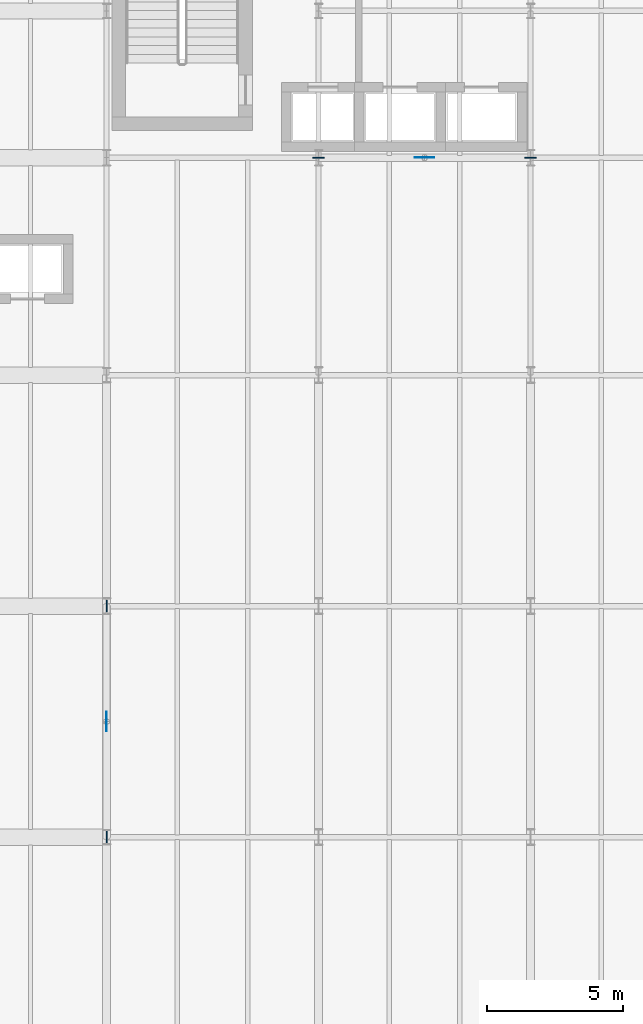
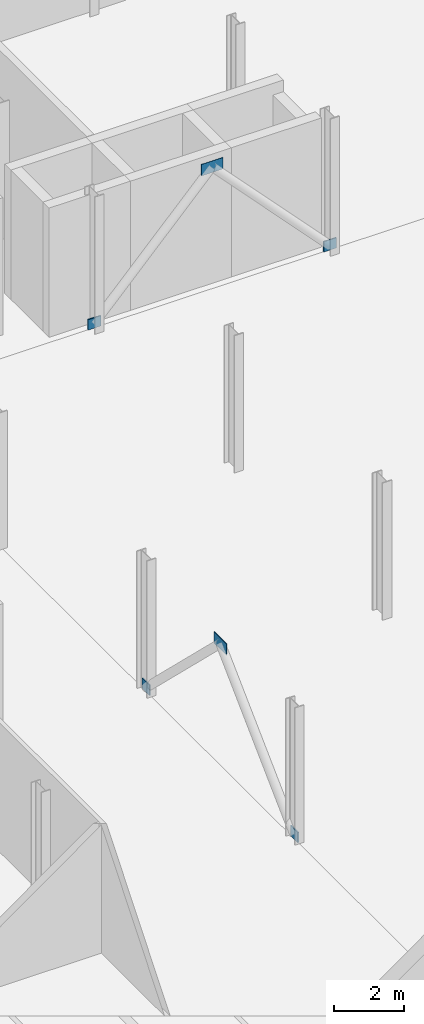
# One storey, part 43 of 63: 6 plates.
"""IFC4 building model written with IfcOpenShell, lengths in metres."""

import ifcopenshell
import ifcopenshell.guid

model = None  # the IFC model being written
_history = None  # IfcOwnerHistory: only IFC2X3 demands one
_inside = {}  # id of a spatial element -> (the spatial element, [elements in it])
_under = {}  # id of a project, library or spatial element -> (it, [spatial elements below it])
_declared = {}  # id of a project -> (the project, [libraries it declares])
_typed = {}  # id of a type object -> (the type object, [elements of that type])
_made_of = {}  # id of a material, layer set ... -> (it, [elements and type objects made of it])


def new_model(schema):
    """Start an empty IFC model of exactly this schema.

    Asked for "IFC4X3", IfcOpenShell would pick the latest addendum, in which some entities
    have other attributes; the version numbers below select the first issue.
    IFC2X3 requires an IfcOwnerHistory on every rooted entity: one is made here for all.
    """
    global model, _history
    if schema == "IFC4X3":
        model = ifcopenshell.file(schema_version=(4, 3, 0, 0))
    else:
        model = ifcopenshell.file(schema=schema)
    _inside.clear()
    _under.clear()
    _declared.clear()
    _typed.clear()
    _made_of.clear()
    _history = None
    if model.schema == "IFC2X3":
        org = make("IfcOrganization", Name="unknown")
        user = make(
            "IfcPersonAndOrganization",
            ThePerson=make("IfcPerson", FamilyName="unknown"),
            TheOrganization=org,
        )
        app = make(
            "IfcApplication",
            ApplicationDeveloper=org,
            Version="unknown",
            ApplicationFullName="unknown",
            ApplicationIdentifier="unknown",
        )
        _history = make(
            "IfcOwnerHistory",
            OwningUser=user,
            OwningApplication=app,
            ChangeAction="ADDED",
            CreationDate=0,
        )
    return model


def make(cls, **values):
    """One entity of the class cls with the attributes given. An attribute that is None is left unset."""
    return model.create_entity(
        cls, **{name: value for name, value in values.items() if value is not None}
    )


def rooted(cls, **values):
    """An entity with a GlobalId (a new one), such as an element, a storey or a relation."""
    return make(cls, GlobalId=ifcopenshell.guid.new(), OwnerHistory=_history, **values)


def si_unit(unit_type, name, prefix=None):
    """IfcSIUnit, for example si_unit("LENGTHUNIT", "METRE", prefix="MILLI")."""
    return make("IfcSIUnit", UnitType=unit_type, Prefix=prefix, Name=name)


def assignment(units):
    """IfcUnitAssignment: the units of a project."""
    return None if units is None else make("IfcUnitAssignment", Units=units)


def point(xyz):
    """IfcCartesianPoint."""
    return None if xyz is None else make("IfcCartesianPoint", Coordinates=xyz)


def direction(xyz):
    """IfcDirection."""
    return None if xyz is None else make("IfcDirection", DirectionRatios=xyz)


def frame(location, z_axis=None, x_axis=None):
    """IfcAxis2Placement3D, a coordinate frame: its origin and axes. An axis left out is left unset."""
    return make(
        "IfcAxis2Placement3D",
        Location=point(location),
        Axis=direction(z_axis),
        RefDirection=direction(x_axis),
    )


def frame_2d(location, x_axis=None):
    """IfcAxis2Placement2D, a coordinate frame in the plane: its origin and x axis."""
    return make(
        "IfcAxis2Placement2D", Location=point(location), RefDirection=direction(x_axis)
    )


def origin():
    """The frame at (0, 0, 0) with its axes left unset."""
    return frame((0.0, 0.0, 0.0))


def origin_2d():
    """The frame at (0, 0) in the plane with its x axis left unset."""
    return frame_2d((0.0, 0.0))


def place(relative_to, where):
    """IfcLocalPlacement: puts the frame where relative to a parent placement (None: the world)."""
    return make(
        "IfcLocalPlacement", PlacementRelTo=relative_to, RelativePlacement=where
    )


def context(
    kind, dimensions, precision=None, world=None, true_north=None, identifier=None
):
    """IfcGeometricRepresentationContext, for example the 3D "Model" context."""
    return make(
        "IfcGeometricRepresentationContext",
        ContextIdentifier=identifier,
        ContextType=kind,
        CoordinateSpaceDimension=dimensions,
        Precision=precision,
        WorldCoordinateSystem=world,
        TrueNorth=true_north,
    )


def subcontext(parent, identifier, kind, view, scale=None):
    """IfcGeometricRepresentationSubContext, for example "Body" below "Model"."""
    return make(
        "IfcGeometricRepresentationSubContext",
        ContextIdentifier=identifier,
        ContextType=kind,
        ParentContext=parent,
        TargetScale=scale,
        TargetView=view,
    )


def project(units=None, contexts=None):
    """IfcProject with its units and contexts."""
    return rooted(
        "IfcProject",
        Name="project",
        RepresentationContexts=contexts,
        UnitsInContext=assignment(units),
    )


def spatial(cls, under=None, at=None, **own):
    """A site, building, storey or space (cls), placed at a placement, below another one or the project."""
    s = rooted(cls, ObjectPlacement=at, **own)
    if under is not None:
        _under.setdefault(under.id(), (under, []))[1].append(s)
    return s


def profile(cls, at=None, kind="AREA", **sizes):
    """A parametric profile (cls). Its sizes go by their IFC names, for example OverallWidth=200.0."""
    return make(cls, ProfileType=kind, Position=at, **sizes)


def rectangle(**sizes):
    """IfcRectangleProfileDef."""
    return profile("IfcRectangleProfileDef", **sizes)


def extrude(swept, where, along, depth):
    """IfcExtrudedAreaSolid: the profile swept, set in the frame where, extruded along a direction by depth."""
    return make(
        "IfcExtrudedAreaSolid",
        SweptArea=swept,
        Position=where,
        ExtrudedDirection=direction(along),
        Depth=depth,
    )


def shape(context_of_items, identifier, shape_type, items):
    """IfcShapeRepresentation: the items that make up one representation, for example the "Body"."""
    return make(
        "IfcShapeRepresentation",
        ContextOfItems=context_of_items,
        RepresentationIdentifier=identifier,
        RepresentationType=shape_type,
        Items=items,
    )


def material(Name=None, Category=None):
    """IfcMaterial."""
    return make("IfcMaterial", Name=Name, Category=Category)


def layer(
    of_material, thickness, ventilated=None, Name=None, Category=None, Priority=None
):
    """IfcMaterialLayer: one layer of a wall or slab, of a material (None: an air gap)."""
    return make(
        "IfcMaterialLayer",
        Material=of_material,
        LayerThickness=thickness,
        IsVentilated=ventilated,
        Name=Name,
        Category=Category,
        Priority=Priority,
    )


def layer_set(layers, Name=None):
    """IfcMaterialLayerSet."""
    return make("IfcMaterialLayerSet", MaterialLayers=layers, LayerSetName=Name)


def made_of(thing, what):
    """Note that an element or type object is made of a material, layer set ...; save() writes the relation."""
    if what is not None:
        _made_of.setdefault(what.id(), (what, []))[1].append(thing)
    return thing


def type_object(cls, material=None, **own):
    """A type object (cls), such as IfcWallType, which elements share."""
    return made_of(rooted(cls, **own), material)


def element(
    cls,
    number,
    at=None,
    inside=None,
    cuts=None,
    type_object=None,
    material=None,
    context=None,
    identifier="Body",
    shape_type=None,
    held_by="IfcProductDefinitionShape",
    body=None,
    shapes=None,
    **own,
):
    """One element of the class cls, such as IfcWall. Its Tag is "e" and its number.

    at: its placement. inside: the storey or other place that contains it. cuts: it is an
    opening in that element (IfcRelVoidsElement). A single representation is given by context,
    identifier, shape_type and body (its items); several are given by shapes. held_by: the class
    of the entity that holds the representations. save() writes the other relations.
    """
    e = rooted(cls, Tag="e%d" % number, ObjectPlacement=at, **own)
    if body is not None:
        shapes = [shape(context, identifier, shape_type, body)]
    if shapes is not None:
        e.Representation = make(held_by, Representations=shapes)
    if inside is not None:
        _inside.setdefault(inside.id(), (inside, []))[1].append(e)
    if cuts is not None:
        rooted(
            "IfcRelVoidsElement", RelatingBuildingElement=cuts, RelatedOpeningElement=e
        )
    if type_object is not None:
        _typed.setdefault(type_object.id(), (type_object, []))[1].append(e)
    return made_of(e, material)


def aggregate(whole, parts):
    """IfcRelAggregates: a whole, such as a stair, and the parts it consists of."""
    return rooted("IfcRelAggregates", RelatingObject=whole, RelatedObjects=parts)


def save(model, path):
    """Write the relations noted so far, then the file.

    IfcRelAggregates (storeys below a building ...), IfcRelContainedInSpatialStructure (elements
    in a storey), IfcRelDefinesByType, IfcRelAssociatesMaterial and IfcRelDeclares: one each for
    every whole, place, type object, material and project.
    """
    for whole, parts in _under.values():
        aggregate(whole, parts)
    for where, things in _inside.values():
        rooted(
            "IfcRelContainedInSpatialStructure",
            RelatedElements=things,
            RelatingStructure=where,
        )
    for kind, things in _typed.values():
        rooted("IfcRelDefinesByType", RelatedObjects=things, RelatingType=kind)
    for what, things in _made_of.values():
        rooted("IfcRelAssociatesMaterial", RelatedObjects=things, RelatingMaterial=what)
    for by, libraries in _declared.values():
        rooted("IfcRelDeclares", RelatingContext=by, RelatedDefinitions=libraries)
    model.write(path)


model = new_model("IFC4")

# Units and contexts
model_context = context("Model", 3, precision=1e-05, world=origin(), true_north=direction((0.0, 1.0)))
body_context = subcontext(model_context, "Body", "Model", "MODEL_VIEW")
ifc_project = project(units=[si_unit("LENGTHUNIT", "METRE"), si_unit("AREAUNIT", "SQUARE_METRE"), si_unit("VOLUMEUNIT", "CUBIC_METRE"), si_unit("PLANEANGLEUNIT", "RADIAN"), si_unit("MASSUNIT", "GRAM", prefix="KILO")], contexts=[model_context])

# Site, building, storey
site_placement = place(None, origin())
site = spatial("IfcSite", under=ifc_project, at=site_placement, CompositionType="ELEMENT")
building_placement = place(site_placement, origin())
building = spatial("IfcBuilding", under=site, at=building_placement, Name="Sefraquen Railside Congress Hotel", CompositionType="ELEMENT")
storey_placement = place(building_placement, frame((0.0, 0.0, 11.39990234375)))
storey = spatial("IfcBuildingStorey", under=building, at=storey_placement, Name="L02", CompositionType="ELEMENT", Elevation=11.39990234375)

# Plates
ifc_material = material(Name="Steel S355J2", Category="steel")
ifc_layer_1 = layer(ifc_material, 0.02001953125)
ifc_layer_set_1 = layer_set([ifc_layer_1], Name="Steel S355J2")
plate_type_1 = type_object("IfcPlateType", Name="TP-GUS-01", PredefinedType="SHEET", material=ifc_layer_set_1)
for number, where, z_axis, x_axis, name in (
    (1, (36.89990234375, 96.0, 4.070068359375), (0.0, 0.0, 1.0), (1.0, 0.0, 0.0), "Chevron braced-frame apex gusset plate BF1 L02"),
    (2, (25.199951171875, 75.25, 4.070068359375), (0.0, 0.0, 1.0), (0.0, 1.0, 0.0), "Chevron braced-frame apex gusset plate BF2 L02"),
):
    element("IfcPlate", number, at=place(storey_placement, frame(where, z_axis=z_axis, x_axis=x_axis)), inside=storey, type_object=plate_type_1, Name=name, PredefinedType="SHEET", context=body_context, shape_type="SweptSolid", body=[
        extrude(rectangle(XDim=0.719970703125, YDim=0.02001953125, at=origin_2d()), origin(), (0.0, 0.0, 1.0), 0.39990234375),
    ])
ifc_layer_2 = layer(ifc_material, 0.0400390625)
ifc_layer_set_2 = layer_set([ifc_layer_2], Name="Steel S355J2")
plate_type_2 = type_object("IfcPlateType", Name="TP-GUS-02", PredefinedType="SHEET", material=ifc_layer_set_2)
for number, where, z_axis, x_axis, name in (
    (3, (33.0, 96.0, 0.0), (0.0, 0.0, 1.0), (1.0, 0.0, 0.0), "Chevron braced-frame base gusset plate BF1-L L02"),
    (4, (40.800048828125, 96.0, 0.0), (0.0, 0.0, 1.0), (1.0, 0.0, 0.0), "Chevron braced-frame base gusset plate BF1-R L02"),
    (5, (25.199951171875, 71.0, 0.0), (0.0, 0.0, 1.0), (0.0, 1.0, 0.0), "Chevron braced-frame base gusset plate BF2-L L02"),
    (6, (25.199951171875, 79.5, 0.0), (0.0, 0.0, 1.0), (0.0, 1.0, 0.0), "Chevron braced-frame base gusset plate BF2-R L02"),
):
    element("IfcPlate", number, at=place(storey_placement, frame(where, z_axis=z_axis, x_axis=x_axis)), inside=storey, type_object=plate_type_2, Name=name, PredefinedType="SHEET", context=body_context, shape_type="SweptSolid", body=[
        extrude(rectangle(XDim=0.419921875, YDim=0.0400390625, at=origin_2d()), origin(), (0.0, 0.0, 1.0), 0.360107421875),
    ])

save(model, "model.ifc")
